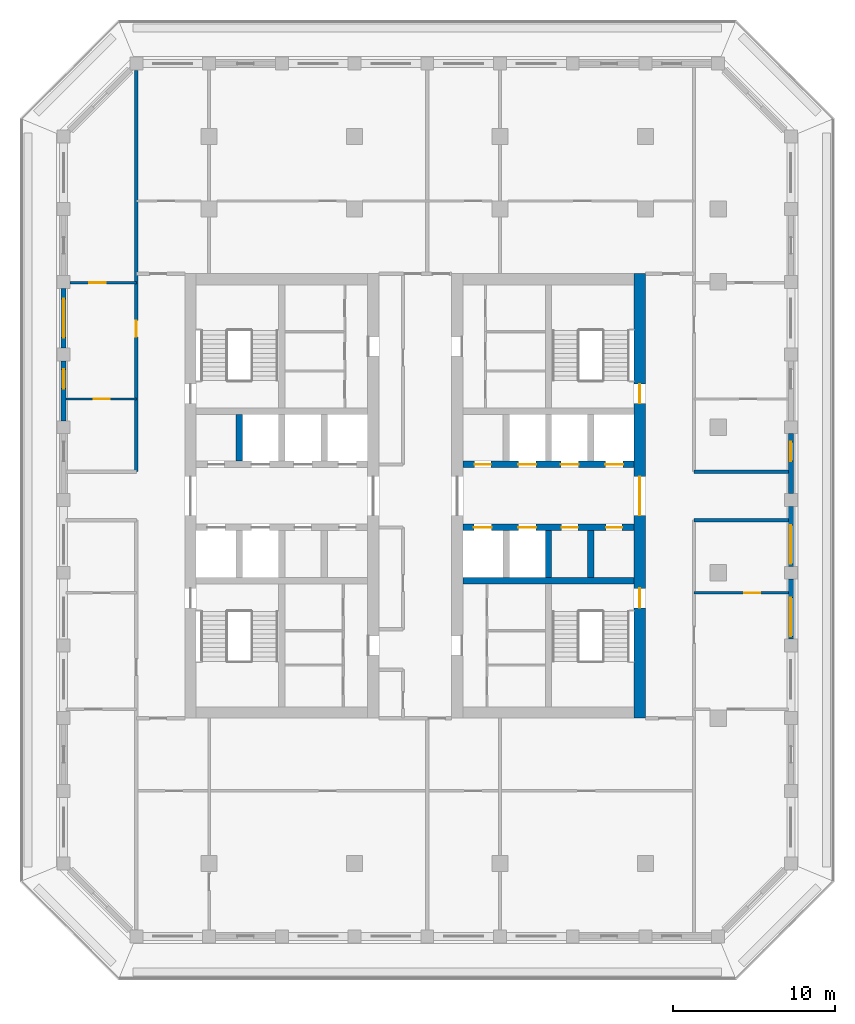
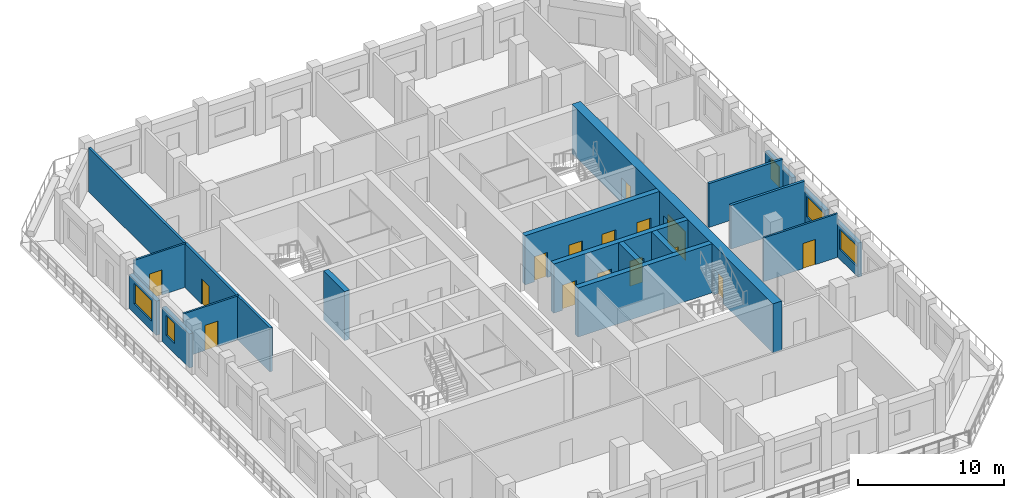
# One storey, part 5 of 17: 18 walls, 15 doors, 5 windows, 20 openings.
"""IFC4 building model written with IfcOpenShell, lengths in metres."""

from ifc_helpers import new_model, si_unit, direction, frame, frame_2d, origin, place, context, subcontext, project, spatial, rectangle, extrude, material, layer, layer_set, type_object, element, fill, save


model = new_model("IFC4")

# Units and contexts
model_context = context("Model", 3, precision=1e-05, world=origin(), true_north=direction((0.0, 1.0)))
body_context = subcontext(model_context, "Body", "Model", "MODEL_VIEW")
ifc_project = project(units=[si_unit("LENGTHUNIT", "METRE"), si_unit("AREAUNIT", "SQUARE_METRE"), si_unit("VOLUMEUNIT", "CUBIC_METRE"), si_unit("PLANEANGLEUNIT", "RADIAN"), si_unit("MASSUNIT", "GRAM", prefix="KILO")], contexts=[model_context])

# Site, building, storey
site_placement = place(None, origin())
site = spatial("IfcSite", under=ifc_project, at=site_placement, CompositionType="ELEMENT")
building_placement = place(site_placement, origin())
building = spatial("IfcBuilding", under=site, at=building_placement, Name="Corbel Stack Research Tower", CompositionType="ELEMENT")
storey_placement = place(building_placement, frame((0.0, 0.0, 243.89990234375)))
storey = spatial("IfcBuildingStorey", under=building, at=storey_placement, Name="L55", CompositionType="ELEMENT", Elevation=243.89990234375)

# Walls
ifc_material_1 = material(Name="Concrete C60/75", Category="concrete")
ifc_layer_1 = layer(ifc_material_1, 0.39990234375)
ifc_layer_set_1 = layer_set([ifc_layer_1], Name="Concrete C60/75")
wall_type_1 = type_object("IfcWallType", Name="CW-400-60", PredefinedType="SHEAR", material=ifc_layer_set_1)
wall_1_placement = place(storey_placement, frame((-7.125, 6.89990234375, 0.0), z_axis=(0.0, 0.0, 1.0), x_axis=(0.0, 1.0, 0.0)))
element("IfcWall", 1, at=wall_1_placement, inside=storey, type_object=wall_type_1, Name="West core wall, north shaft 1 L55", PredefinedType="SHEAR", context=body_context, shape_type="SweptSolid", body=[
    extrude(rectangle(XDim=2.900146484375, YDim=0.39990234375, at=frame_2d((1.4501953125, 0.0))), origin(), (0.0, 0.0, 1.0), 4.10009765625),
])
wall_2_placement = place(storey_placement, frame((6.699951171875, -0.5, 0.0), z_axis=(0.0, 0.0, 1.0), x_axis=(1.0, 0.0, 0.0)))
element("IfcWall", 2, at=wall_2_placement, inside=storey, type_object=wall_type_1, Name="East core wall, south row back L55", PredefinedType="SHEAR", context=body_context, shape_type="SweptSolid", body=[
    extrude(rectangle(XDim=10.60009765625, YDim=0.39990234375, at=frame_2d((5.300048828125, 0.0))), origin(), (0.0, 0.0, 1.0), 4.10009765625),
])

# Wall, openings, doors
wall_3_placement = place(storey_placement, frame((6.699951171875, 2.800048828125, 0.0), z_axis=(0.0, 0.0, 1.0), x_axis=(1.0, 0.0, 0.0)))
wall_3 = element("IfcWall", 3, at=wall_3_placement, inside=storey, type_object=wall_type_1, Name="East core wall, lobby south L55", PredefinedType="SHEAR", context=body_context, shape_type="SweptSolid", body=[
    extrude(rectangle(XDim=10.60009765625, YDim=0.39990234375, at=frame_2d((5.300048828125, 0.0))), origin(), (0.0, 0.0, 1.0), 4.10009765625),
])
opening_1_placement = place(wall_3_placement, frame((0.6875, 0.0, 0.0)))
opening_1 = element("IfcOpeningElement", 4, at=opening_1_placement, cuts=wall_3, Name="Opening LD-FS2", PredefinedType="OPENING", context=body_context, shape_type="SweptSolid", body=[
    extrude(rectangle(XDim=1.10009765625, YDim=2.10009765625, at=frame_2d((0.550048828125, 1.050048828125))), frame((0.0, 0.2099609375, 0.0), z_axis=(0.0, -1.0, 0.0), x_axis=(1.0, 0.0, 0.0)), (0.0, 0.0, 1.0), 0.419921875),
])
opening_2_placement = place(wall_3_placement, frame((3.4375, 0.0, 0.0)))
opening_2 = element("IfcOpeningElement", 5, at=opening_2_placement, cuts=wall_3, Name="Opening LD-GL2", PredefinedType="OPENING", context=body_context, shape_type="SweptSolid", body=[
    extrude(rectangle(XDim=1.10009765625, YDim=2.10009765625, at=frame_2d((0.550048828125, 1.050048828125))), frame((0.0, 0.2099609375, 0.0), z_axis=(0.0, -1.0, 0.0), x_axis=(1.0, 0.0, 0.0)), (0.0, 0.0, 1.0), 0.419921875),
])
opening_3_placement = place(wall_3_placement, frame((6.112548828125, 0.0, 0.0)))
opening_3 = element("IfcOpeningElement", 6, at=opening_3_placement, cuts=wall_3, Name="Opening CR-E12-S3", PredefinedType="OPENING", context=body_context, shape_type="SweptSolid", body=[
    extrude(rectangle(XDim=1.0, YDim=2.10009765625, at=frame_2d((0.5, 1.050048828125))), frame((0.0, 0.2099609375, 0.0), z_axis=(0.0, -1.0, 0.0), x_axis=(1.0, 0.0, 0.0)), (0.0, 0.0, 1.0), 0.419921875),
])
opening_4_placement = place(wall_3_placement, frame((8.862548828125, 0.0, 0.0)))
opening_4 = element("IfcOpeningElement", 7, at=opening_4_placement, cuts=wall_3, Name="Opening CR-E12-S4", PredefinedType="OPENING", context=body_context, shape_type="SweptSolid", body=[
    extrude(rectangle(XDim=1.0, YDim=2.10009765625, at=frame_2d((0.5, 1.050048828125))), frame((0.0, 0.2099609375, 0.0), z_axis=(0.0, -1.0, 0.0), x_axis=(1.0, 0.0, 0.0)), (0.0, 0.0, 1.0), 0.419921875),
])
ifc_material_2 = material(Name="Stainless steel landing door", Category="steel")
door_type_1 = type_object("IfcDoorType", Name="Lift landing door 1100 x 2100", OperationType="DOUBLE_DOOR_SLIDING", PredefinedType="DOOR", material=ifc_material_2)
door_1_placement = place(opening_1_placement, origin())
door_1 = element("IfcDoor", 8, at=door_1_placement, inside=storey, type_object=door_type_1, Name="Landing door FS2", OperationType="DOUBLE_DOOR_SLIDING", OverallHeight=2.10009765625, OverallWidth=1.10009765625, PredefinedType="DOOR", context=body_context, shape_type="SweptSolid", body=[
    extrude(rectangle(XDim=1.10009765625, YDim=2.10009765625, at=frame_2d((0.550048828125, 1.050048828125))), frame((0.0, 0.02490234375, 0.0), z_axis=(0.0, -1.0, 0.0), x_axis=(1.0, 0.0, 0.0)), (0.0, 0.0, 1.0), 0.050048828125),
])
fill(opening_1, door_1)
door_2_placement = place(opening_2_placement, origin())
door_2 = element("IfcDoor", 9, at=door_2_placement, inside=storey, type_object=door_type_1, Name="Landing door GL2", OperationType="DOUBLE_DOOR_SLIDING", OverallHeight=2.10009765625, OverallWidth=1.10009765625, PredefinedType="DOOR", context=body_context, shape_type="SweptSolid", body=[
    extrude(rectangle(XDim=1.10009765625, YDim=2.10009765625, at=frame_2d((0.550048828125, 1.050048828125))), frame((0.0, 0.02490234375, 0.0), z_axis=(0.0, -1.0, 0.0), x_axis=(1.0, 0.0, 0.0)), (0.0, 0.0, 1.0), 0.050048828125),
])
fill(opening_2, door_2)
ifc_material_3 = material(Name="Painted steel door", Category="steel")
door_type_2 = type_object("IfcDoorType", Name="Service door 1000 x 2100 FD60 left hand", OperationType="SINGLE_SWING_LEFT", PredefinedType="DOOR", material=ifc_material_3)
door_3_placement = place(opening_3_placement, origin())
door_3 = element("IfcDoor", 10, at=door_3_placement, inside=storey, type_object=door_type_2, Name="Copy and supply store door E core", OperationType="SINGLE_SWING_LEFT", OverallHeight=2.10009765625, OverallWidth=1.0, PredefinedType="DOOR", context=body_context, shape_type="SweptSolid", body=[
    extrude(rectangle(XDim=1.0, YDim=2.10009765625, at=frame_2d((0.5, 1.050048828125))), frame((0.0, 0.02490234375, 0.0), z_axis=(0.0, -1.0, 0.0), x_axis=(1.0, 0.0, 0.0)), (0.0, 0.0, 1.0), 0.050048828125),
])
fill(opening_3, door_3)
ifc_material_4 = material(Name="Painted steel door", Category="steel")
door_type_3 = type_object("IfcDoorType", Name="Service door 1000 x 2100 FD60 right hand", OperationType="SINGLE_SWING_RIGHT", PredefinedType="DOOR", material=ifc_material_4)
door_4_placement = place(opening_4_placement, origin())
door_4 = element("IfcDoor", 11, at=door_4_placement, inside=storey, type_object=door_type_3, Name="Records store door E core", OperationType="SINGLE_SWING_RIGHT", OverallHeight=2.10009765625, OverallWidth=1.0, PredefinedType="DOOR", context=body_context, shape_type="SweptSolid", body=[
    extrude(rectangle(XDim=1.0, YDim=2.10009765625, at=frame_2d((0.5, 1.050048828125))), frame((0.0, 0.02490234375, 0.0), z_axis=(0.0, -1.0, 0.0), x_axis=(1.0, 0.0, 0.0)), (0.0, 0.0, 1.0), 0.050048828125),
])
fill(opening_4, door_4)

wall_4_placement = place(storey_placement, frame((6.699951171875, 6.699951171875, 0.0), z_axis=(0.0, 0.0, 1.0), x_axis=(1.0, 0.0, 0.0)))
wall_4 = element("IfcWall", 12, at=wall_4_placement, inside=storey, type_object=wall_type_1, Name="East core wall, lobby north L55", PredefinedType="SHEAR", context=body_context, shape_type="SweptSolid", body=[
    extrude(rectangle(XDim=10.60009765625, YDim=0.39990234375, at=frame_2d((5.300048828125, 0.0))), origin(), (0.0, 0.0, 1.0), 4.10009765625),
])
opening_5_placement = place(wall_4_placement, frame((3.4375, 0.0, 0.0)))
opening_5 = element("IfcOpeningElement", 13, at=opening_5_placement, cuts=wall_4, Name="Opening LD-HR4", PredefinedType="OPENING", context=body_context, shape_type="SweptSolid", body=[
    extrude(rectangle(XDim=1.10009765625, YDim=2.10009765625, at=frame_2d((0.550048828125, 1.050048828125))), frame((0.0, 0.2099609375, 0.0), z_axis=(0.0, -1.0, 0.0), x_axis=(1.0, 0.0, 0.0)), (0.0, 0.0, 1.0), 0.419921875),
])
opening_6_placement = place(wall_4_placement, frame((6.0625, 0.0, 0.0)))
opening_6 = element("IfcOpeningElement", 14, at=opening_6_placement, cuts=wall_4, Name="Opening LD-HR5", PredefinedType="OPENING", context=body_context, shape_type="SweptSolid", body=[
    extrude(rectangle(XDim=1.10009765625, YDim=2.10009765625, at=frame_2d((0.550048828125, 1.050048828125))), frame((0.0, 0.2099609375, 0.0), z_axis=(0.0, -1.0, 0.0), x_axis=(1.0, 0.0, 0.0)), (0.0, 0.0, 1.0), 0.419921875),
])
opening_7_placement = place(wall_4_placement, frame((8.8125, 0.0, 0.0)))
opening_7 = element("IfcOpeningElement", 15, at=opening_7_placement, cuts=wall_4, Name="Opening LD-HR6", PredefinedType="OPENING", context=body_context, shape_type="SweptSolid", body=[
    extrude(rectangle(XDim=1.10009765625, YDim=2.10009765625, at=frame_2d((0.550048828125, 1.050048828125))), frame((0.0, 0.2099609375, 0.0), z_axis=(0.0, -1.0, 0.0), x_axis=(1.0, 0.0, 0.0)), (0.0, 0.0, 1.0), 0.419921875),
])
opening_8_placement = place(wall_4_placement, frame((0.737548828125, 0.0, 0.0)))
opening_8 = element("IfcOpeningElement", 16, at=opening_8_placement, cuts=wall_4, Name="Opening CR-E12-N1", PredefinedType="OPENING", context=body_context, shape_type="SweptSolid", body=[
    extrude(rectangle(XDim=1.0, YDim=2.10009765625, at=frame_2d((0.5, 1.050048828125))), frame((0.0, 0.2099609375, 0.0), z_axis=(0.0, -1.0, 0.0), x_axis=(1.0, 0.0, 0.0)), (0.0, 0.0, 1.0), 0.419921875),
])
door_5_placement = place(opening_5_placement, origin())
door_5 = element("IfcDoor", 17, at=door_5_placement, inside=storey, type_object=door_type_1, Name="Landing door HR4", OperationType="DOUBLE_DOOR_SLIDING", OverallHeight=2.10009765625, OverallWidth=1.10009765625, PredefinedType="DOOR", context=body_context, shape_type="SweptSolid", body=[
    extrude(rectangle(XDim=1.10009765625, YDim=2.10009765625, at=frame_2d((0.550048828125, 1.050048828125))), frame((0.0, 0.02490234375, 0.0), z_axis=(0.0, -1.0, 0.0), x_axis=(1.0, 0.0, 0.0)), (0.0, 0.0, 1.0), 0.050048828125),
])
fill(opening_5, door_5)
door_6_placement = place(opening_6_placement, origin())
door_6 = element("IfcDoor", 18, at=door_6_placement, inside=storey, type_object=door_type_1, Name="Landing door HR5", OperationType="DOUBLE_DOOR_SLIDING", OverallHeight=2.10009765625, OverallWidth=1.10009765625, PredefinedType="DOOR", context=body_context, shape_type="SweptSolid", body=[
    extrude(rectangle(XDim=1.10009765625, YDim=2.10009765625, at=frame_2d((0.550048828125, 1.050048828125))), frame((0.0, 0.02490234375, 0.0), z_axis=(0.0, -1.0, 0.0), x_axis=(1.0, 0.0, 0.0)), (0.0, 0.0, 1.0), 0.050048828125),
])
fill(opening_6, door_6)
door_7_placement = place(opening_7_placement, origin())
door_7 = element("IfcDoor", 19, at=door_7_placement, inside=storey, type_object=door_type_1, Name="Landing door HR6", OperationType="DOUBLE_DOOR_SLIDING", OverallHeight=2.10009765625, OverallWidth=1.10009765625, PredefinedType="DOOR", context=body_context, shape_type="SweptSolid", body=[
    extrude(rectangle(XDim=1.10009765625, YDim=2.10009765625, at=frame_2d((0.550048828125, 1.050048828125))), frame((0.0, 0.02490234375, 0.0), z_axis=(0.0, -1.0, 0.0), x_axis=(1.0, 0.0, 0.0)), (0.0, 0.0, 1.0), 0.050048828125),
])
fill(opening_7, door_7)
door_8_placement = place(opening_8_placement, origin())
door_8 = element("IfcDoor", 20, at=door_8_placement, inside=storey, type_object=door_type_2, Name="Electrical room door E core", OperationType="SINGLE_SWING_LEFT", OverallHeight=2.10009765625, OverallWidth=1.0, PredefinedType="DOOR", context=body_context, shape_type="SweptSolid", body=[
    extrude(rectangle(XDim=1.0, YDim=2.10009765625, at=frame_2d((0.5, 1.050048828125))), frame((0.0, 0.02490234375, 0.0), z_axis=(0.0, -1.0, 0.0), x_axis=(1.0, 0.0, 0.0)), (0.0, 0.0, 1.0), 0.050048828125),
])
fill(opening_8, door_8)

# Walls
for number, where, z_axis, x_axis, name in (
    (21, (12.0, -0.300048828125, 0.0), (0.0, 0.0, 1.0), (0.0, 1.0, 0.0), "East core wall, south shaft 2 L55"),
    (22, (14.625, -0.300048828125, 0.0), (0.0, 0.0, 1.0), (0.0, 1.0, 0.0), "East core wall, south shaft 3 L55"),
):
    element("IfcWall", number, at=place(storey_placement, frame(where, z_axis=z_axis, x_axis=x_axis)), inside=storey, type_object=wall_type_1, Name=name, PredefinedType="SHEAR", context=body_context, shape_type="SweptSolid", body=[
        extrude(rectangle(XDim=2.900146484375, YDim=0.39990234375, at=frame_2d((1.4501953125, 0.0))), origin(), (0.0, 0.0, 1.0), 4.10009765625),
    ])

# Wall, openings, doors
ifc_material_5 = material(Name="Concrete C60/75", Category="concrete")
ifc_layer_2 = layer(ifc_material_5, 0.699951171875)
ifc_layer_set_2 = layer_set([ifc_layer_2], Name="Concrete C60/75")
wall_type_2 = type_object("IfcWallType", Name="CW-700-60", PredefinedType="SHEAR", material=ifc_layer_set_2)
wall_5_placement = place(storey_placement, frame((17.64990234375, -9.0, 0.0), z_axis=(0.0, 0.0, 1.0), x_axis=(0.0, 1.0, 0.0)))
wall_5 = element("IfcWall", 23, at=wall_5_placement, inside=storey, type_object=wall_type_2, Name="East core wall, east face L55", PredefinedType="SHEAR", context=body_context, shape_type="SweptSolid", body=[
    extrude(rectangle(XDim=27.5, YDim=0.699951171875, at=frame_2d((13.75, 0.0))), origin(), (0.0, 0.0, 1.0), 4.10009765625),
])
opening_9_placement = place(wall_5_placement, frame((12.550048828125, 0.0, 0.0)))
opening_9 = element("IfcOpeningElement", 24, at=opening_9_placement, cuts=wall_5, Name="Opening CD-E-E", PredefinedType="OPENING", context=body_context, shape_type="SweptSolid", body=[
    extrude(rectangle(XDim=2.39990234375, YDim=2.39990234375, at=frame_2d((1.199951171875, 1.199951171875))), frame((0.0, 0.35986328125, 0.0), z_axis=(0.0, -1.0, 0.0), x_axis=(1.0, 0.0, 0.0)), (0.0, 0.0, 1.0), 0.719970703125),
])
opening_10_placement = place(wall_5_placement, frame((6.824951171875, 0.0, 0.0)))
opening_10 = element("IfcOpeningElement", 25, at=opening_10_placement, cuts=wall_5, Name="Opening SD-ST-E1", PredefinedType="OPENING", context=body_context, shape_type="SweptSolid", body=[
    extrude(rectangle(XDim=1.199951171875, YDim=2.10009765625, at=frame_2d((0.60009765625, 1.050048828125))), frame((0.0, 0.35986328125, 0.0), z_axis=(0.0, -1.0, 0.0), x_axis=(1.0, 0.0, 0.0)), (0.0, 0.0, 1.0), 0.719970703125),
])
opening_11_placement = place(wall_5_placement, frame((19.47509765625, 0.0, 0.0)))
opening_11 = element("IfcOpeningElement", 26, at=opening_11_placement, cuts=wall_5, Name="Opening SD-ST-E2", PredefinedType="OPENING", context=body_context, shape_type="SweptSolid", body=[
    extrude(rectangle(XDim=1.199951171875, YDim=2.10009765625, at=frame_2d((0.60009765625, 1.050048828125))), frame((0.0, 0.35986328125, 0.0), z_axis=(0.0, -1.0, 0.0), x_axis=(1.0, 0.0, 0.0)), (0.0, 0.0, 1.0), 0.719970703125),
])
ifc_material_6 = material(Name="Painted steel fire door", Category="steel")
door_type_4 = type_object("IfcDoorType", Name="Lobby door pair 2400 x 2400 FD30S", OperationType="DOUBLE_DOOR_DOUBLE_SWING", PredefinedType="DOOR", material=ifc_material_6)
door_9_placement = place(opening_9_placement, origin())
door_9 = element("IfcDoor", 27, at=door_9_placement, inside=storey, type_object=door_type_4, Name="Lift lobby door E core E", OperationType="DOUBLE_DOOR_DOUBLE_SWING", OverallHeight=2.39990234375, OverallWidth=2.39990234375, PredefinedType="DOOR", context=body_context, shape_type="SweptSolid", body=[
    extrude(rectangle(XDim=2.39990234375, YDim=2.39990234375, at=frame_2d((1.199951171875, 1.199951171875))), frame((0.0, 0.02490234375, 0.0), z_axis=(0.0, -1.0, 0.0), x_axis=(1.0, 0.0, 0.0)), (0.0, 0.0, 1.0), 0.050048828125),
])
fill(opening_9, door_9)
ifc_material_7 = material(Name="Painted steel fire door", Category="steel")
door_type_5 = type_object("IfcDoorType", Name="Stair door 1200 x 2100 FD90 right hand", OperationType="SINGLE_SWING_RIGHT", PredefinedType="DOOR", material=ifc_material_7)
door_10_placement = place(opening_10_placement, frame((1.199951171875, 0.0, 0.0), z_axis=(0.0, 0.0, 1.0), x_axis=(-1.0, 0.0, 0.0)))
door_10 = element("IfcDoor", 28, at=door_10_placement, inside=storey, type_object=door_type_5, Name="Stair door ST-E1", OperationType="SINGLE_SWING_LEFT", OverallHeight=2.10009765625, OverallWidth=1.199951171875, PredefinedType="DOOR", context=body_context, shape_type="SweptSolid", body=[
    extrude(rectangle(XDim=1.199951171875, YDim=2.10009765625, at=frame_2d((0.60009765625, 1.050048828125))), frame((0.0, 0.02490234375, 0.0), z_axis=(0.0, -1.0, 0.0), x_axis=(1.0, 0.0, 0.0)), (0.0, 0.0, 1.0), 0.050048828125),
])
fill(opening_10, door_10)
door_11_placement = place(opening_11_placement, frame((1.199951171875, 0.0, 0.0), z_axis=(0.0, 0.0, 1.0), x_axis=(-1.0, 0.0, 0.0)))
door_11 = element("IfcDoor", 29, at=door_11_placement, inside=storey, type_object=door_type_5, Name="Stair door ST-E2", OperationType="SINGLE_SWING_LEFT", OverallHeight=2.10009765625, OverallWidth=1.199951171875, PredefinedType="DOOR", context=body_context, shape_type="SweptSolid", body=[
    extrude(rectangle(XDim=1.199951171875, YDim=2.10009765625, at=frame_2d((0.60009765625, 1.050048828125))), frame((0.0, 0.02490234375, 0.0), z_axis=(0.0, -1.0, 0.0), x_axis=(1.0, 0.0, 0.0)), (0.0, 0.0, 1.0), 0.050048828125),
])
fill(opening_11, door_11)

# Wall, opening, door
ifc_material_8 = material(Name="Fire-rated gypsum board partition on steel studs", Category="steel")
ifc_layer_3 = layer(ifc_material_8, 0.199951171875)
ifc_layer_set_3 = layer_set([ifc_layer_3], Name="Fire-rated gypsum board partition on steel studs")
wall_type_3 = type_object("IfcWallType", Name="Fire-rated partition 200 EI 60", PredefinedType="PARTITIONING", material=ifc_layer_set_3)
wall_6_placement = place(storey_placement, frame((-13.5, 6.25, 0.0), z_axis=(0.0, 0.0, 1.0), x_axis=(0.0, 1.0, 0.0)))
wall_6 = element("IfcWall", 30, at=wall_6_placement, inside=storey, type_object=wall_type_3, Name="Partition L55-002", PredefinedType="PARTITIONING", context=body_context, shape_type="SweptSolid", body=[
    extrude(rectangle(XDim=24.8271484375, YDim=0.199951171875, at=frame_2d((12.41357421875, 0.0))), origin(), (0.0, 0.0, 1.0), 3.650146484375),
])
opening_12_placement = place(wall_6_placement, frame((8.35009765625, 0.0, 0.0)))
opening_12 = element("IfcOpeningElement", 31, at=opening_12_placement, cuts=wall_6, Name="Opening B7V1-006", PredefinedType="OPENING", context=body_context, shape_type="SweptSolid", body=[
    extrude(rectangle(XDim=1.0, YDim=2.10009765625, at=frame_2d((0.5, 1.050048828125))), frame((0.0, 0.10986328125, 0.0), z_axis=(0.0, -1.0, 0.0), x_axis=(1.0, 0.0, 0.0)), (0.0, 0.0, 1.0), 0.219970703125),
])
ifc_material_9 = material(Name="Painted steel fire door", Category="steel")
door_type_6 = type_object("IfcDoorType", Name="Fire door FD30S 1000 x 2100", OperationType="NOTDEFINED", PredefinedType="DOOR", material=ifc_material_9)
door_12_placement = place(opening_12_placement, origin())
door_12 = element("IfcDoor", 32, at=door_12_placement, inside=storey, type_object=door_type_6, Name="Door B7V1-006", OperationType="SINGLE_SWING_LEFT", OverallHeight=2.10009765625, OverallWidth=1.0, PredefinedType="DOOR", context=body_context, shape_type="SweptSolid", body=[
    extrude(rectangle(XDim=1.0, YDim=2.10009765625, at=frame_2d((0.5, 1.050048828125))), frame((0.0, 0.02490234375, 0.0), z_axis=(0.0, -1.0, 0.0), x_axis=(1.0, 0.0, 0.0)), (0.0, 0.0, 1.0), 0.050048828125),
])
fill(opening_12, door_12)

# Walls
for number, where, z_axis, x_axis, name in (
    (33, (21.0, 3.25, 0.0), (0.0, 0.0, 1.0), (1.0, 0.0, 0.0), "Partition L55-033"),
    (34, (21.0, 6.25, 0.0), (0.0, 0.0, 1.0), (1.0, 0.0, 0.0), "Partition L55-035"),
):
    element("IfcWall", number, at=place(storey_placement, frame(where, z_axis=z_axis, x_axis=x_axis)), inside=storey, type_object=wall_type_3, Name=name, PredefinedType="PARTITIONING", context=body_context, shape_type="SweptSolid", body=[
        extrude(rectangle(XDim=5.85009765625, YDim=0.199951171875, at=frame_2d((2.925048828125, 0.0))), origin(), (0.0, 0.0, 1.0), 3.650146484375),
    ])

# Wall, opening, door
ifc_material_10 = material(Name="Gypsum board partition on steel studs", Category="steel")
ifc_layer_4 = layer(ifc_material_10, 0.14990234375)
ifc_layer_set_4 = layer_set([ifc_layer_4], Name="Gypsum board partition on steel studs")
wall_type_4 = type_object("IfcWallType", Name="Partition 150", PredefinedType="PARTITIONING", material=ifc_layer_set_4)
wall_7_placement = place(storey_placement, frame((21.0, -1.25, 0.0), z_axis=(0.0, 0.0, 1.0), x_axis=(1.0, 0.0, 0.0)))
wall_7 = element("IfcWall", 35, at=wall_7_placement, inside=storey, type_object=wall_type_4, Name="Partition L55-030", PredefinedType="PARTITIONING", context=body_context, shape_type="SweptSolid", body=[
    extrude(rectangle(XDim=5.85009765625, YDim=0.14990234375, at=frame_2d((2.925048828125, 0.0))), origin(), (0.0, 0.0, 1.0), 3.650146484375),
])
opening_13_placement = place(wall_7_placement, frame((3.10009765625, 0.0, 0.0)))
opening_13 = element("IfcOpeningElement", 36, at=opening_13_placement, cuts=wall_7, Name="Opening B7V1-014", PredefinedType="OPENING", context=body_context, shape_type="SweptSolid", body=[
    extrude(rectangle(XDim=1.0, YDim=2.10009765625, at=frame_2d((0.5, 1.050048828125))), frame((0.0, 0.0849609375, 0.0), z_axis=(0.0, -1.0, 0.0), x_axis=(1.0, 0.0, 0.0)), (0.0, 0.0, 1.0), 0.169921875),
])
ifc_material_11 = material(Name="Painted timber door", Category="wood")
door_type_7 = type_object("IfcDoorType", Name="Single door 1000 x 2100", OperationType="NOTDEFINED", PredefinedType="DOOR", material=ifc_material_11)
door_13_placement = place(opening_13_placement, origin())
door_13 = element("IfcDoor", 37, at=door_13_placement, inside=storey, type_object=door_type_7, Name="Door B7V1-014", OperationType="SINGLE_SWING_RIGHT", OverallHeight=2.10009765625, OverallWidth=1.0, PredefinedType="DOOR", context=body_context, shape_type="SweptSolid", body=[
    extrude(rectangle(XDim=1.0, YDim=2.10009765625, at=frame_2d((0.5, 1.050048828125))), frame((0.0, 0.02490234375, 0.0), z_axis=(0.0, -1.0, 0.0), x_axis=(1.0, 0.0, 0.0)), (0.0, 0.0, 1.0), 0.050048828125),
])
fill(opening_13, door_13)

wall_8_placement = place(storey_placement, frame((-13.5, 10.75, 0.0), z_axis=(0.0, 0.0, 1.0), x_axis=(-1.0, 0.0, 0.0)))
wall_8 = element("IfcWall", 38, at=wall_8_placement, inside=storey, type_object=wall_type_4, Name="Partition L55-037", PredefinedType="PARTITIONING", context=body_context, shape_type="SweptSolid", body=[
    extrude(rectangle(XDim=4.35009765625, YDim=0.14990234375, at=frame_2d((2.175048828125, 0.0))), origin(), (0.0, 0.0, 1.0), 3.650146484375),
])
opening_14_placement = place(wall_8_placement, frame((1.64990234375, 0.0, 0.0)))
opening_14 = element("IfcOpeningElement", 39, at=opening_14_placement, cuts=wall_8, Name="Opening B7V1-018", PredefinedType="OPENING", context=body_context, shape_type="SweptSolid", body=[
    extrude(rectangle(XDim=1.0, YDim=2.10009765625, at=frame_2d((0.5, 1.050048828125))), frame((0.0, 0.0849609375, 0.0), z_axis=(0.0, -1.0, 0.0), x_axis=(1.0, 0.0, 0.0)), (0.0, 0.0, 1.0), 0.169921875),
])
door_14_placement = place(opening_14_placement, origin())
door_14 = element("IfcDoor", 40, at=door_14_placement, inside=storey, type_object=door_type_7, Name="Door B7V1-018", OperationType="SINGLE_SWING_RIGHT", OverallHeight=2.10009765625, OverallWidth=1.0, PredefinedType="DOOR", context=body_context, shape_type="SweptSolid", body=[
    extrude(rectangle(XDim=1.0, YDim=2.10009765625, at=frame_2d((0.5, 1.050048828125))), frame((0.0, 0.02490234375, 0.0), z_axis=(0.0, -1.0, 0.0), x_axis=(1.0, 0.0, 0.0)), (0.0, 0.0, 1.0), 0.050048828125),
])
fill(opening_14, door_14)

wall_9_placement = place(storey_placement, frame((-17.60009765625, 17.949951171875, 0.0), z_axis=(0.0, 0.0, 1.0), x_axis=(1.0, 0.0, 0.0)))
wall_9 = element("IfcWall", 41, at=wall_9_placement, inside=storey, type_object=wall_type_4, Name="Partition L55-039", PredefinedType="PARTITIONING", context=body_context, shape_type="SweptSolid", body=[
    extrude(rectangle(XDim=4.10009765625, YDim=0.14990234375, at=frame_2d((2.050048828125, 0.0))), origin(), (0.0, 0.0, 1.0), 3.650146484375),
])
opening_15_placement = place(wall_9_placement, frame((1.199951171875, 0.0, 0.0)))
opening_15 = element("IfcOpeningElement", 42, at=opening_15_placement, cuts=wall_9, Name="Opening B7V1-020", PredefinedType="OPENING", context=body_context, shape_type="SweptSolid", body=[
    extrude(rectangle(XDim=1.0, YDim=2.10009765625, at=frame_2d((0.5, 1.050048828125))), frame((0.0, 0.0849609375, 0.0), z_axis=(0.0, -1.0, 0.0), x_axis=(1.0, 0.0, 0.0)), (0.0, 0.0, 1.0), 0.169921875),
])
door_15_placement = place(opening_15_placement, origin())
door_15 = element("IfcDoor", 43, at=door_15_placement, inside=storey, type_object=door_type_7, Name="Door B7V1-020", OperationType="SINGLE_SWING_LEFT", OverallHeight=2.10009765625, OverallWidth=1.0, PredefinedType="DOOR", context=body_context, shape_type="SweptSolid", body=[
    extrude(rectangle(XDim=1.0, YDim=2.10009765625, at=frame_2d((0.5, 1.050048828125))), frame((0.0, 0.02490234375, 0.0), z_axis=(0.0, -1.0, 0.0), x_axis=(1.0, 0.0, 0.0)), (0.0, 0.0, 1.0), 0.050048828125),
])
fill(opening_15, door_15)

# Wall, opening, window
ifc_material_12 = material(Name="Concrete C45/55", Category="concrete")
ifc_layer_5 = layer(ifc_material_12, 0.300048828125)
ifc_layer_set_5 = layer_set([ifc_layer_5], Name="Concrete C45/55")
wall_type_5 = type_object("IfcWallType", Name="Terracotta-faced concrete wall 300", PredefinedType="SOLIDWALL", material=ifc_layer_set_5)
wall_10_placement = place(storey_placement, frame((27.0, -0.39990234375, 0.0), z_axis=(0.0, 0.0, 1.0), x_axis=(0.0, -1.0, 0.0)))
wall_10 = element("IfcWall", 44, at=wall_10_placement, inside=storey, type_object=wall_type_5, Name="Facade wall L55 E04", PredefinedType="SOLIDWALL", context=body_context, shape_type="SweptSolid", body=[
    extrude(rectangle(XDim=3.7001953125, YDim=0.300048828125, at=frame_2d((1.85009765625, 0.0))), origin(), (0.0, 0.0, 1.0), 2.85009765625),
])
opening_16_placement = place(wall_10_placement, frame((1.137451171875, 0.0, 0.800048828125)))
opening_16 = element("IfcOpeningElement", 45, at=opening_16_placement, cuts=wall_10, Name="Opening W1", PredefinedType="OPENING", context=body_context, shape_type="SweptSolid", body=[
    extrude(rectangle(XDim=2.39990234375, YDim=1.699951171875, at=frame_2d((1.199951171875, 0.85009765625))), frame((0.0, 0.159912109375, 0.0), z_axis=(0.0, -1.0, 0.0), x_axis=(1.0, 0.0, 0.0)), (0.0, 0.0, 1.0), 0.320068359375),
])
ifc_material_13 = material(Name="Aluminium frame, clear double glazing", Category="aluminium")
window_type_1 = type_object("IfcWindowType", Name="Window W1 2400 x 1700", PartitioningType="SINGLE_PANEL", PredefinedType="WINDOW", material=ifc_material_13)
window_1_placement = place(opening_16_placement, origin())
window_1 = element("IfcWindow", 46, at=window_1_placement, inside=storey, type_object=window_type_1, Name="Window W1 L55 E04", OverallHeight=1.699951171875, OverallWidth=2.39990234375, PartitioningType="SINGLE_PANEL", PredefinedType="WINDOW", context=body_context, shape_type="SweptSolid", body=[
    extrude(rectangle(XDim=2.39990234375, YDim=1.699951171875, at=frame_2d((1.199951171875, 0.85009765625))), frame((0.0, 0.030029296875, 0.0), z_axis=(0.0, -1.0, 0.0), x_axis=(1.0, 0.0, 0.0)), (0.0, 0.0, 1.0), 0.06005859375),
])
fill(opening_16, window_1)

wall_11_placement = place(storey_placement, frame((27.0, 4.10009765625, 0.0), z_axis=(0.0, 0.0, 1.0), x_axis=(0.0, -1.0, 0.0)))
wall_11 = element("IfcWall", 47, at=wall_11_placement, inside=storey, type_object=wall_type_5, Name="Facade wall L55 E05", PredefinedType="SOLIDWALL", context=body_context, shape_type="SweptSolid", body=[
    extrude(rectangle(XDim=3.7001953125, YDim=0.300048828125, at=frame_2d((1.85009765625, 0.0))), origin(), (0.0, 0.0, 1.0), 2.85009765625),
])
opening_17_placement = place(wall_11_placement, frame((1.14990234375, 0.0, 0.800048828125)))
opening_17 = element("IfcOpeningElement", 48, at=opening_17_placement, cuts=wall_11, Name="Opening W1", PredefinedType="OPENING", context=body_context, shape_type="SweptSolid", body=[
    extrude(rectangle(XDim=2.39990234375, YDim=1.699951171875, at=frame_2d((1.199951171875, 0.85009765625))), frame((0.0, 0.159912109375, 0.0), z_axis=(0.0, -1.0, 0.0), x_axis=(1.0, 0.0, 0.0)), (0.0, 0.0, 1.0), 0.320068359375),
])
window_2_placement = place(opening_17_placement, origin())
window_2 = element("IfcWindow", 49, at=window_2_placement, inside=storey, type_object=window_type_1, Name="Window W1 L55 E05", OverallHeight=1.699951171875, OverallWidth=2.39990234375, PartitioningType="SINGLE_PANEL", PredefinedType="WINDOW", context=body_context, shape_type="SweptSolid", body=[
    extrude(rectangle(XDim=2.39990234375, YDim=1.699951171875, at=frame_2d((1.199951171875, 0.85009765625))), frame((0.0, 0.030029296875, 0.0), z_axis=(0.0, -1.0, 0.0), x_axis=(1.0, 0.0, 0.0)), (0.0, 0.0, 1.0), 0.06005859375),
])
fill(opening_17, window_2)

wall_12_placement = place(storey_placement, frame((27.0, 8.60009765625, 0.0), z_axis=(0.0, 0.0, 1.0), x_axis=(0.0, -1.0, 0.0)))
wall_12 = element("IfcWall", 50, at=wall_12_placement, inside=storey, type_object=wall_type_5, Name="Facade wall L55 E06", PredefinedType="SOLIDWALL", context=body_context, shape_type="SweptSolid", body=[
    extrude(rectangle(XDim=3.7001953125, YDim=0.300048828125, at=frame_2d((1.85009765625, 0.0))), origin(), (0.0, 0.0, 1.0), 2.85009765625),
])
opening_18_placement = place(wall_12_placement, frame((0.5, 0.0, 0.800048828125)))
opening_18 = element("IfcOpeningElement", 51, at=opening_18_placement, cuts=wall_12, Name="Opening W2", PredefinedType="OPENING", context=body_context, shape_type="SweptSolid", body=[
    extrude(rectangle(XDim=1.199951171875, YDim=1.699951171875, at=frame_2d((0.60009765625, 0.85009765625))), frame((0.0, 0.159912109375, 0.0), z_axis=(0.0, -1.0, 0.0), x_axis=(1.0, 0.0, 0.0)), (0.0, 0.0, 1.0), 0.320068359375),
])
ifc_material_14 = material(Name="Aluminium frame, clear double glazing", Category="aluminium")
window_type_2 = type_object("IfcWindowType", Name="Window W2 1200 x 1700", PartitioningType="SINGLE_PANEL", PredefinedType="WINDOW", material=ifc_material_14)
window_3_placement = place(opening_18_placement, origin())
window_3 = element("IfcWindow", 52, at=window_3_placement, inside=storey, type_object=window_type_2, Name="Window W2 L55 E06", OverallHeight=1.699951171875, OverallWidth=1.199951171875, PartitioningType="SINGLE_PANEL", PredefinedType="WINDOW", context=body_context, shape_type="SweptSolid", body=[
    extrude(rectangle(XDim=1.199951171875, YDim=1.699951171875, at=frame_2d((0.60009765625, 0.85009765625))), frame((0.0, 0.030029296875, 0.0), z_axis=(0.0, -1.0, 0.0), x_axis=(1.0, 0.0, 0.0)), (0.0, 0.0, 1.0), 0.06005859375),
])
fill(opening_18, window_3)

wall_13_placement = place(storey_placement, frame((-18.0, 13.89990234375, 0.0), z_axis=(0.0, 0.0, 1.0), x_axis=(0.0, 1.0, 0.0)))
wall_13 = element("IfcWall", 53, at=wall_13_placement, inside=storey, type_object=wall_type_5, Name="Facade wall L55 W03", PredefinedType="SOLIDWALL", context=body_context, shape_type="SweptSolid", body=[
    extrude(rectangle(XDim=3.7001953125, YDim=0.300048828125, at=frame_2d((1.85009765625, 0.0))), origin(), (0.0, 0.0, 1.0), 2.85009765625),
])
opening_19_placement = place(wall_13_placement, frame((0.64990234375, 0.0, 0.800048828125)))
opening_19 = element("IfcOpeningElement", 54, at=opening_19_placement, cuts=wall_13, Name="Opening W1", PredefinedType="OPENING", context=body_context, shape_type="SweptSolid", body=[
    extrude(rectangle(XDim=2.39990234375, YDim=1.699951171875, at=frame_2d((1.199951171875, 0.85009765625))), frame((0.0, 0.159912109375, 0.0), z_axis=(0.0, -1.0, 0.0), x_axis=(1.0, 0.0, 0.0)), (0.0, 0.0, 1.0), 0.320068359375),
])
window_4_placement = place(opening_19_placement, origin())
window_4 = element("IfcWindow", 55, at=window_4_placement, inside=storey, type_object=window_type_1, Name="Window W1 L55 W03", OverallHeight=1.699951171875, OverallWidth=2.39990234375, PartitioningType="SINGLE_PANEL", PredefinedType="WINDOW", context=body_context, shape_type="SweptSolid", body=[
    extrude(rectangle(XDim=2.39990234375, YDim=1.699951171875, at=frame_2d((1.199951171875, 0.85009765625))), frame((0.0, 0.030029296875, 0.0), z_axis=(0.0, -1.0, 0.0), x_axis=(1.0, 0.0, 0.0)), (0.0, 0.0, 1.0), 0.06005859375),
])
fill(opening_19, window_4)

wall_14_placement = place(storey_placement, frame((-18.0, 9.39990234375, 0.0), z_axis=(0.0, 0.0, 1.0), x_axis=(0.0, 1.0, 0.0)))
wall_14 = element("IfcWall", 56, at=wall_14_placement, inside=storey, type_object=wall_type_5, Name="Facade wall L55 W04", PredefinedType="SOLIDWALL", context=body_context, shape_type="SweptSolid", body=[
    extrude(rectangle(XDim=3.7001953125, YDim=0.300048828125, at=frame_2d((1.85009765625, 0.0))), origin(), (0.0, 0.0, 1.0), 2.85009765625),
])
opening_20_placement = place(wall_14_placement, frame((1.987548828125, 0.0, 0.800048828125)))
opening_20 = element("IfcOpeningElement", 57, at=opening_20_placement, cuts=wall_14, Name="Opening W2", PredefinedType="OPENING", context=body_context, shape_type="SweptSolid", body=[
    extrude(rectangle(XDim=1.199951171875, YDim=1.699951171875, at=frame_2d((0.60009765625, 0.85009765625))), frame((0.0, 0.159912109375, 0.0), z_axis=(0.0, -1.0, 0.0), x_axis=(1.0, 0.0, 0.0)), (0.0, 0.0, 1.0), 0.320068359375),
])
window_5_placement = place(opening_20_placement, origin())
window_5 = element("IfcWindow", 58, at=window_5_placement, inside=storey, type_object=window_type_2, Name="Window W2 L55 W04", OverallHeight=1.699951171875, OverallWidth=1.199951171875, PartitioningType="SINGLE_PANEL", PredefinedType="WINDOW", context=body_context, shape_type="SweptSolid", body=[
    extrude(rectangle(XDim=1.199951171875, YDim=1.699951171875, at=frame_2d((0.60009765625, 0.85009765625))), frame((0.0, 0.030029296875, 0.0), z_axis=(0.0, -1.0, 0.0), x_axis=(1.0, 0.0, 0.0)), (0.0, 0.0, 1.0), 0.06005859375),
])
fill(opening_20, window_5)

save(model, "model.ifc")
